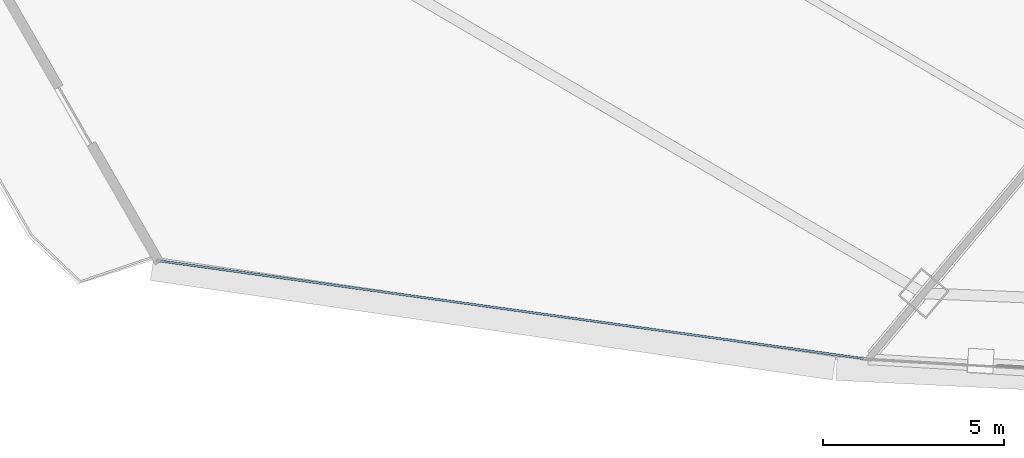
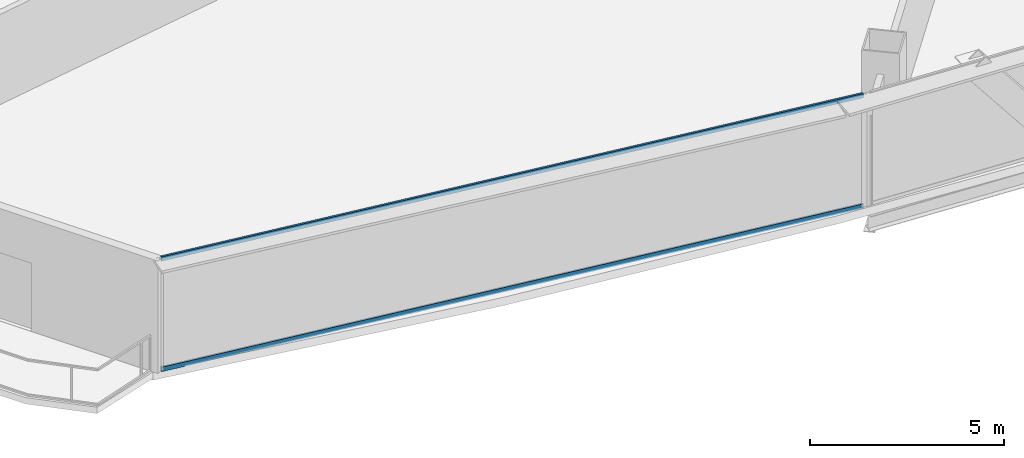
# One storey, part 3 of 37: 2 members, 1 element without a shape of its own.
"""IFC4 building model written with IfcOpenShell, lengths in metres."""

import ifcopenshell
import ifcopenshell.guid

model = None  # the IFC model being written
_history = None  # IfcOwnerHistory: only IFC2X3 demands one
_inside = {}  # id of a spatial element -> (the spatial element, [elements in it])
_under = {}  # id of a project, library or spatial element -> (it, [spatial elements below it])
_declared = {}  # id of a project -> (the project, [libraries it declares])
_typed = {}  # id of a type object -> (the type object, [elements of that type])
_made_of = {}  # id of a material, layer set ... -> (it, [elements and type objects made of it])


def new_model(schema):
    """Start an empty IFC model of exactly this schema.

    Asked for "IFC4X3", IfcOpenShell would pick the latest addendum, in which some entities
    have other attributes; the version numbers below select the first issue.
    IFC2X3 requires an IfcOwnerHistory on every rooted entity: one is made here for all.
    """
    global model, _history
    if schema == "IFC4X3":
        model = ifcopenshell.file(schema_version=(4, 3, 0, 0))
    else:
        model = ifcopenshell.file(schema=schema)
    _inside.clear()
    _under.clear()
    _declared.clear()
    _typed.clear()
    _made_of.clear()
    _history = None
    if model.schema == "IFC2X3":
        org = make("IfcOrganization", Name="unknown")
        user = make(
            "IfcPersonAndOrganization",
            ThePerson=make("IfcPerson", FamilyName="unknown"),
            TheOrganization=org,
        )
        app = make(
            "IfcApplication",
            ApplicationDeveloper=org,
            Version="unknown",
            ApplicationFullName="unknown",
            ApplicationIdentifier="unknown",
        )
        _history = make(
            "IfcOwnerHistory",
            OwningUser=user,
            OwningApplication=app,
            ChangeAction="ADDED",
            CreationDate=0,
        )
    return model


def make(cls, **values):
    """One entity of the class cls with the attributes given. An attribute that is None is left unset."""
    return model.create_entity(
        cls, **{name: value for name, value in values.items() if value is not None}
    )


def rooted(cls, **values):
    """An entity with a GlobalId (a new one), such as an element, a storey or a relation."""
    return make(cls, GlobalId=ifcopenshell.guid.new(), OwnerHistory=_history, **values)


def si_unit(unit_type, name, prefix=None):
    """IfcSIUnit, for example si_unit("LENGTHUNIT", "METRE", prefix="MILLI")."""
    return make("IfcSIUnit", UnitType=unit_type, Prefix=prefix, Name=name)


def assignment(units):
    """IfcUnitAssignment: the units of a project."""
    return None if units is None else make("IfcUnitAssignment", Units=units)


def point(xyz):
    """IfcCartesianPoint."""
    return None if xyz is None else make("IfcCartesianPoint", Coordinates=xyz)


def direction(xyz):
    """IfcDirection."""
    return None if xyz is None else make("IfcDirection", DirectionRatios=xyz)


def frame(location, z_axis=None, x_axis=None):
    """IfcAxis2Placement3D, a coordinate frame: its origin and axes. An axis left out is left unset."""
    return make(
        "IfcAxis2Placement3D",
        Location=point(location),
        Axis=direction(z_axis),
        RefDirection=direction(x_axis),
    )


def frame_2d(location, x_axis=None):
    """IfcAxis2Placement2D, a coordinate frame in the plane: its origin and x axis."""
    return make(
        "IfcAxis2Placement2D", Location=point(location), RefDirection=direction(x_axis)
    )


def origin():
    """The frame at (0, 0, 0) with its axes left unset."""
    return frame((0.0, 0.0, 0.0))


def origin_2d():
    """The frame at (0, 0) in the plane with its x axis left unset."""
    return frame_2d((0.0, 0.0))


def place(relative_to, where):
    """IfcLocalPlacement: puts the frame where relative to a parent placement (None: the world)."""
    return make(
        "IfcLocalPlacement", PlacementRelTo=relative_to, RelativePlacement=where
    )


def context(
    kind, dimensions, precision=None, world=None, true_north=None, identifier=None
):
    """IfcGeometricRepresentationContext, for example the 3D "Model" context."""
    return make(
        "IfcGeometricRepresentationContext",
        ContextIdentifier=identifier,
        ContextType=kind,
        CoordinateSpaceDimension=dimensions,
        Precision=precision,
        WorldCoordinateSystem=world,
        TrueNorth=true_north,
    )


def subcontext(parent, identifier, kind, view, scale=None):
    """IfcGeometricRepresentationSubContext, for example "Body" below "Model"."""
    return make(
        "IfcGeometricRepresentationSubContext",
        ContextIdentifier=identifier,
        ContextType=kind,
        ParentContext=parent,
        TargetScale=scale,
        TargetView=view,
    )


def project(units=None, contexts=None):
    """IfcProject with its units and contexts."""
    return rooted(
        "IfcProject",
        Name="project",
        RepresentationContexts=contexts,
        UnitsInContext=assignment(units),
    )


def spatial(cls, under=None, at=None, **own):
    """A site, building, storey or space (cls), placed at a placement, below another one or the project."""
    s = rooted(cls, ObjectPlacement=at, **own)
    if under is not None:
        _under.setdefault(under.id(), (under, []))[1].append(s)
    return s


def profile(cls, at=None, kind="AREA", **sizes):
    """A parametric profile (cls). Its sizes go by their IFC names, for example OverallWidth=200.0."""
    return make(cls, ProfileType=kind, Position=at, **sizes)


def hollow_rectangle(**sizes):
    """IfcRectangleHollowProfileDef."""
    return profile("IfcRectangleHollowProfileDef", **sizes)


def extrude(swept, where, along, depth):
    """IfcExtrudedAreaSolid: the profile swept, set in the frame where, extruded along a direction by depth."""
    return make(
        "IfcExtrudedAreaSolid",
        SweptArea=swept,
        Position=where,
        ExtrudedDirection=direction(along),
        Depth=depth,
    )


def shape(context_of_items, identifier, shape_type, items):
    """IfcShapeRepresentation: the items that make up one representation, for example the "Body"."""
    return make(
        "IfcShapeRepresentation",
        ContextOfItems=context_of_items,
        RepresentationIdentifier=identifier,
        RepresentationType=shape_type,
        Items=items,
    )


def source(mapping_origin, context_of_items, identifier, shape_type, items):
    """IfcRepresentationMap: a shape defined once, which mapped items show again and again."""
    return make(
        "IfcRepresentationMap",
        MappingOrigin=mapping_origin,
        MappedRepresentation=shape(context_of_items, identifier, shape_type, items),
    )


def transform(
    local_origin,
    x_axis=None,
    y_axis=None,
    z_axis=None,
    scale=None,
    scale2=None,
    scale3=None,
    uniform=True,
):
    """IfcCartesianTransformationOperator3D, or its non-uniform kind. x_axis, y_axis, z_axis: its Axis1, 2, 3."""
    if uniform:
        return make(
            "IfcCartesianTransformationOperator3D",
            Axis1=direction(x_axis),
            Axis2=direction(y_axis),
            LocalOrigin=point(local_origin),
            Scale=scale,
            Axis3=direction(z_axis),
        )
    return make(
        "IfcCartesianTransformationOperator3DnonUniform",
        Axis1=direction(x_axis),
        Axis2=direction(y_axis),
        LocalOrigin=point(local_origin),
        Scale=scale,
        Axis3=direction(z_axis),
        Scale2=scale2,
        Scale3=scale3,
    )


def mapped(mapping_source, mapping_target):
    """IfcMappedItem: shows the shape of a source again, moved by a transform."""
    return make(
        "IfcMappedItem", MappingSource=mapping_source, MappingTarget=mapping_target
    )


def material(Name=None, Category=None):
    """IfcMaterial."""
    return make("IfcMaterial", Name=Name, Category=Category)


def layer(
    of_material, thickness, ventilated=None, Name=None, Category=None, Priority=None
):
    """IfcMaterialLayer: one layer of a wall or slab, of a material (None: an air gap)."""
    return make(
        "IfcMaterialLayer",
        Material=of_material,
        LayerThickness=thickness,
        IsVentilated=ventilated,
        Name=Name,
        Category=Category,
        Priority=Priority,
    )


def layer_set(layers, Name=None):
    """IfcMaterialLayerSet."""
    return make("IfcMaterialLayerSet", MaterialLayers=layers, LayerSetName=Name)


def material_profile(
    of_material, cross_section, Name=None, Category=None, Priority=None
):
    """IfcMaterialProfile: a cross section and its material."""
    return make(
        "IfcMaterialProfile",
        Name=Name,
        Material=of_material,
        Profile=cross_section,
        Priority=Priority,
        Category=Category,
    )


def profile_set(profiles, Name=None, composite=None):
    """IfcMaterialProfileSet."""
    return make(
        "IfcMaterialProfileSet",
        Name=Name,
        MaterialProfiles=profiles,
        CompositeProfile=composite,
    )


def made_of(thing, what):
    """Note that an element or type object is made of a material, layer set ...; save() writes the relation."""
    if what is not None:
        _made_of.setdefault(what.id(), (what, []))[1].append(thing)
    return thing


def type_object(cls, material=None, **own):
    """A type object (cls), such as IfcWallType, which elements share."""
    return made_of(rooted(cls, **own), material)


def element(
    cls,
    number,
    at=None,
    inside=None,
    cuts=None,
    type_object=None,
    material=None,
    context=None,
    identifier="Body",
    shape_type=None,
    held_by="IfcProductDefinitionShape",
    body=None,
    shapes=None,
    **own,
):
    """One element of the class cls, such as IfcWall. Its Tag is "e" and its number.

    at: its placement. inside: the storey or other place that contains it. cuts: it is an
    opening in that element (IfcRelVoidsElement). A single representation is given by context,
    identifier, shape_type and body (its items); several are given by shapes. held_by: the class
    of the entity that holds the representations. save() writes the other relations.
    """
    e = rooted(cls, Tag="e%d" % number, ObjectPlacement=at, **own)
    if body is not None:
        shapes = [shape(context, identifier, shape_type, body)]
    if shapes is not None:
        e.Representation = make(held_by, Representations=shapes)
    if inside is not None:
        _inside.setdefault(inside.id(), (inside, []))[1].append(e)
    if cuts is not None:
        rooted(
            "IfcRelVoidsElement", RelatingBuildingElement=cuts, RelatedOpeningElement=e
        )
    if type_object is not None:
        _typed.setdefault(type_object.id(), (type_object, []))[1].append(e)
    return made_of(e, material)


def aggregate(whole, parts):
    """IfcRelAggregates: a whole, such as a stair, and the parts it consists of."""
    return rooted("IfcRelAggregates", RelatingObject=whole, RelatedObjects=parts)


def save(model, path):
    """Write the relations noted so far, then the file.

    IfcRelAggregates (storeys below a building ...), IfcRelContainedInSpatialStructure (elements
    in a storey), IfcRelDefinesByType, IfcRelAssociatesMaterial and IfcRelDeclares: one each for
    every whole, place, type object, material and project.
    """
    for whole, parts in _under.values():
        aggregate(whole, parts)
    for where, things in _inside.values():
        rooted(
            "IfcRelContainedInSpatialStructure",
            RelatedElements=things,
            RelatingStructure=where,
        )
    for kind, things in _typed.values():
        rooted("IfcRelDefinesByType", RelatedObjects=things, RelatingType=kind)
    for what, things in _made_of.values():
        rooted("IfcRelAssociatesMaterial", RelatedObjects=things, RelatingMaterial=what)
    for by, libraries in _declared.values():
        rooted("IfcRelDeclares", RelatingContext=by, RelatedDefinitions=libraries)
    model.write(path)


model = new_model("IFC4")

# Units and contexts
model_context = context("Model", 3, precision=1e-05, world=origin(), true_north=direction((0.0, 1.0)))
body_context = subcontext(model_context, "Body", "Model", "MODEL_VIEW")
ifc_project = project(units=[si_unit("LENGTHUNIT", "METRE"), si_unit("AREAUNIT", "SQUARE_METRE"), si_unit("VOLUMEUNIT", "CUBIC_METRE"), si_unit("PLANEANGLEUNIT", "RADIAN"), si_unit("MASSUNIT", "GRAM", prefix="KILO"), si_unit("THERMODYNAMICTEMPERATUREUNIT", "KELVIN"), si_unit("POWERUNIT", "WATT")], contexts=[model_context])

# Site, building, storey
site_placement = place(None, origin())
site = spatial("IfcSite", under=ifc_project, at=site_placement, CompositionType="ELEMENT")
building_placement = place(site_placement, origin())
building = spatial("IfcBuilding", under=site, at=building_placement, Name="Yunzhuo Pagoda Commons", CompositionType="ELEMENT")
storey_placement = place(building_placement, frame((0.0, 0.0, 88.780029296875)))
storey = spatial("IfcBuildingStorey", under=building, at=storey_placement, Name="L22", CompositionType="ELEMENT", Elevation=88.780029296875)

# Curtain wall, members
ifc_material = material(Name="Anodized aluminium 6063-T6", Category="aluminium")
ifc_layer = layer(ifc_material, 0.1650390625)
ifc_layer_set = layer_set([ifc_layer], Name="Anodized aluminium 6063-T6")
curtain_wall_type = type_object("IfcCurtainWallType", Name="CW-LOW Low-Zone Ribbon Curtain Wall", PredefinedType="NOTDEFINED", material=ifc_layer_set)
curtain_wall_placement = place(storey_placement, origin())
curtain_wall = element("IfcCurtainWall", 1, at=curtain_wall_placement, inside=storey, type_object=curtain_wall_type, Name="L22 curtain wall CW-L22-F1B1", PredefinedType="NOTDEFINED")
ifc_material_profile = material_profile(ifc_material, hollow_rectangle(XDim=0.06005859375, YDim=0.139892578125, WallThickness=0.00341796875, at=origin_2d()), Name="Anodized aluminium 6063-T6")
ifc_profile_set = profile_set([ifc_material_profile], Name="Anodized aluminium 6063-T6")
member_type = type_object("IfcMemberType", Name="CW-LOW-T Transom RHS 140x60x3.5", PredefinedType="USERDEFINED", material=ifc_profile_set)
shared_shape = source(origin(), body_context, "Body", "SweptSolid", [
    extrude(hollow_rectangle(XDim=0.06005859375, YDim=0.139892578125, WallThickness=0.00341796875, at=origin_2d()), origin(), (0.0, 0.0, 1.0), 19.557861328125),
])
member_1_placement = place(storey_placement, frame((10.527099609375, 15.001953125, 0.030029296875), z_axis=(0.990501720506, -0.137500333359, 0.0), x_axis=(0.137500333359, 0.990501720506, 0.0)))
member_1 = element("IfcMember", 2, at=member_1_placement, type_object=member_type, Name="CW transom 1.1", ObjectType="TRANSOM", PredefinedType="USERDEFINED", context=body_context, shape_type="MappedRepresentation", body=[
    mapped(shared_shape, transform((0.0, 0.0, 0.0), scale=1.0)),
])
member_2_placement = place(storey_placement, frame((10.527099609375, 15.001953125, 3.510009765625), z_axis=(0.990501720506, -0.137500333359, 0.0), x_axis=(0.137500333359, 0.990501720506, 0.0)))
member_2 = element("IfcMember", 3, at=member_2_placement, type_object=member_type, Name="CW transom 1.2", ObjectType="TRANSOM", PredefinedType="USERDEFINED", context=body_context, shape_type="MappedRepresentation", body=[
    mapped(shared_shape, transform((0.0, 0.0, 0.0), scale=1.0)),
])
aggregate(curtain_wall, [member_1, member_2])

save(model, "model.ifc")
